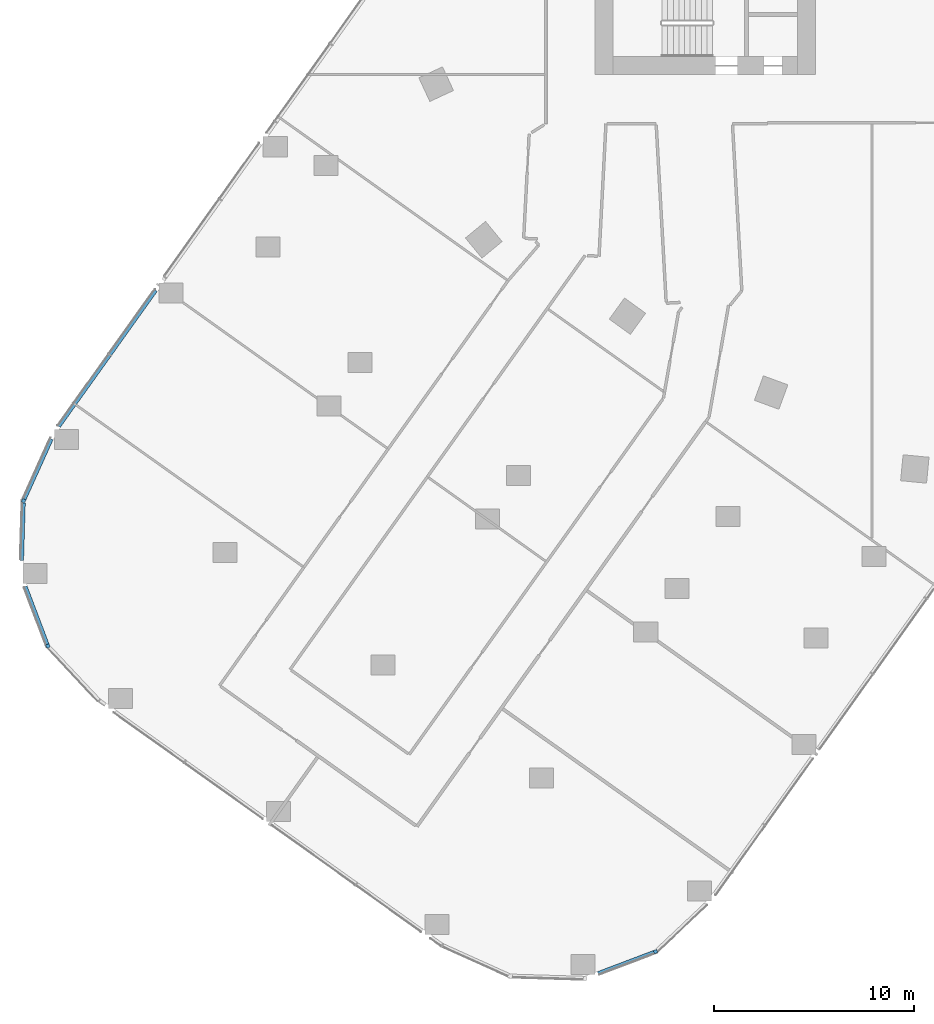
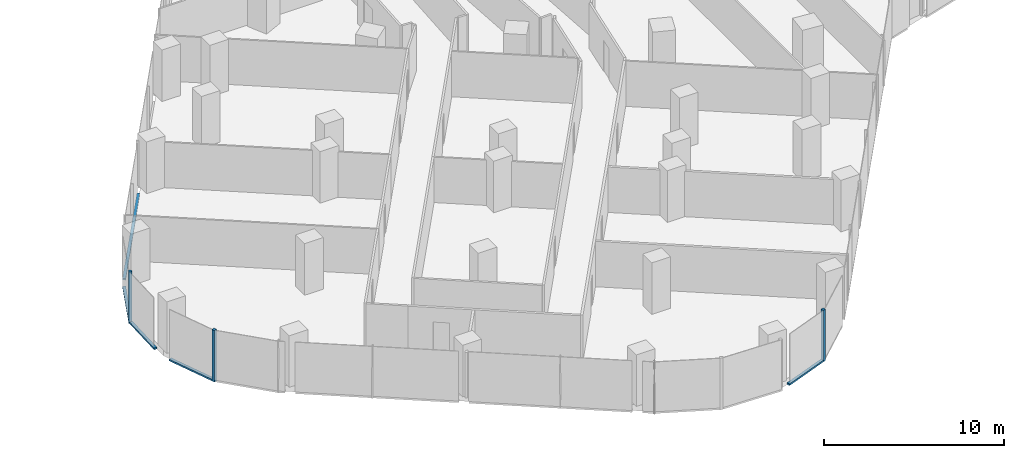
# One storey, part 3 of 31: 8 members, 5 elements without a shape of their own.
"""IFC4 building model written with IfcOpenShell, lengths in metres."""

from ifc_helpers import new_model, si_unit, direction, frame, origin, origin_2d, place, context, subcontext, project, spatial, rectangle, extrude, material, material_profile, profile_set, type_object, element, aggregate, save


model = new_model("IFC4")

# Units and contexts
model_context = context("Model", 3, precision=1e-05, world=origin(), true_north=direction((0.0, 1.0)))
body_context = subcontext(model_context, "Body", "Model", "MODEL_VIEW")
ifc_project = project(units=[si_unit("LENGTHUNIT", "METRE"), si_unit("AREAUNIT", "SQUARE_METRE"), si_unit("VOLUMEUNIT", "CUBIC_METRE"), si_unit("PLANEANGLEUNIT", "RADIAN"), si_unit("MASSUNIT", "GRAM", prefix="KILO")], contexts=[model_context])

# Site, building, storey
site_placement = place(None, origin())
site = spatial("IfcSite", under=ifc_project, at=site_placement, CompositionType="ELEMENT")
building_placement = place(site_placement, origin())
building = spatial("IfcBuilding", under=site, at=building_placement, Name="Orlundy Tower", CompositionType="ELEMENT")
storey_placement = place(building_placement, frame((0.0, 0.0, 87.699951171875)))
storey = spatial("IfcBuildingStorey", under=building, at=storey_placement, Name="L21", CompositionType="ELEMENT", Elevation=87.699951171875)

# Curtain wall, member
ifc_material_1 = material(Name="Aluminium bronze anodised", Category="aluminium")
curtain_wall_type = type_object("IfcCurtainWallType", Name="CW1 wall", PredefinedType="NOTDEFINED", material=ifc_material_1)
curtain_wall_1_placement = place(storey_placement, origin())
curtain_wall_1 = element("IfcCurtainWall", 1, at=curtain_wall_1_placement, inside=storey, type_object=curtain_wall_type, Name="CW1 run 020", PredefinedType="NOTDEFINED")
ifc_material_2 = material(Name="Aluminium bronze anodised", Category="aluminium")
ifc_material_profile_1 = material_profile(ifc_material_2, rectangle(XDim=0.179931640625, YDim=0.179931640625, at=origin_2d()), Name="CW1 corner post 180x180")
ifc_profile_set_1 = profile_set([ifc_material_profile_1], Name="Aluminium bronze anodised")
member_type_1 = type_object("IfcMemberType", Name="CW1 corner post 180x180", PredefinedType="MULLION", material=ifc_profile_set_1)
member_1_placement = place(storey_placement, frame((-15.984375, -55.751708984375, -0.39990234375), z_axis=(0.0, 0.0, 1.0), x_axis=(0.354166301715, -0.935182458523, 0.0)))
member_1 = element("IfcMember", 2, at=member_1_placement, type_object=member_type_1, Name="CW1 mullion 58", PredefinedType="MULLION", context=body_context, shape_type="SweptSolid", body=[
    extrude(rectangle(XDim=0.179931640625, YDim=0.179931640625, at=origin_2d()), origin(), (0.0, 0.0, 1.0), 3.5),
])

curtain_wall_2_placement = place(storey_placement, origin())
curtain_wall_2 = element("IfcCurtainWall", 3, at=curtain_wall_2_placement, inside=storey, type_object=curtain_wall_type, Name="CW1 run 025", PredefinedType="NOTDEFINED")
member_2_placement = place(storey_placement, frame((-46.298828125, -40.505615234375, -0.39990234375), z_axis=(0.0, 0.0, 1.0), x_axis=(-0.935182458523, -0.354166301715, 0.0)))
member_2 = element("IfcMember", 4, at=member_2_placement, type_object=member_type_1, Name="CW1 mullion 66", PredefinedType="MULLION", context=body_context, shape_type="SweptSolid", body=[
    extrude(rectangle(XDim=0.179931640625, YDim=0.179931640625, at=origin_2d()), origin(), (0.0, 0.0, 1.0), 3.5),
])

curtain_wall_3_placement = place(storey_placement, origin())
curtain_wall_3 = element("IfcCurtainWall", 5, at=curtain_wall_3_placement, inside=storey, type_object=curtain_wall_type, Name="CW1 run 027", PredefinedType="NOTDEFINED")
member_3_placement = place(storey_placement, frame((-47.510498046875, -33.264404296875, -0.39990234375), z_axis=(0.0, 0.0, 1.0), x_axis=(-0.911673970719, 0.410914311157, 0.0)))
member_3 = element("IfcMember", 6, at=member_3_placement, type_object=member_type_1, Name="CW1 mullion 68", PredefinedType="MULLION", context=body_context, shape_type="SweptSolid", body=[
    extrude(rectangle(XDim=0.179931640625, YDim=0.179931640625, at=origin_2d()), origin(), (0.0, 0.0, 1.0), 3.5),
])

curtain_wall_4_placement = place(storey_placement, origin())
curtain_wall_4 = element("IfcCurtainWall", 7, at=curtain_wall_4_placement, inside=storey, type_object=curtain_wall_type, Name="CW1 run 00", PredefinedType="NOTDEFINED")
ifc_material_3 = material(Name="Aluminium bronze anodised", Category="aluminium")
ifc_material_profile_2 = material_profile(ifc_material_3, rectangle(XDim=0.179931640625, YDim=0.1201171875, at=origin_2d()), Name="CW1 transom 180x120")
ifc_profile_set_2 = profile_set([ifc_material_profile_2], Name="Aluminium bronze anodised")
member_type_2 = type_object("IfcMemberType", Name="CW1 transom 180x120", PredefinedType="USERDEFINED", material=ifc_profile_set_2)
member_4_placement = place(storey_placement, frame((-45.754638671875, -29.550048828125, -0.33984375), z_axis=(0.580695047202, 0.814121159383, 0.0), x_axis=(-0.814121159383, 0.580695047202, 0.0)))
member_4 = element("IfcMember", 8, at=member_4_placement, type_object=member_type_2, Name="CW1 transom", ObjectType="TRANSOM", PredefinedType="USERDEFINED", context=body_context, shape_type="SweptSolid", body=[
    extrude(rectangle(XDim=0.179931640625, YDim=0.1201171875, at=origin_2d()), origin(), (0.0, 0.0, 1.0), 8.3359375),
])
aggregate(curtain_wall_4, [member_4])

# Member
member_5_placement = place(storey_placement, frame((-16.068603515625, -55.78369140625, -0.33984375), z_axis=(-0.935187055294, -0.354154163621, 0.0), x_axis=(0.354154163621, -0.935187055294, 0.0)))
member_5 = element("IfcMember", 9, at=member_5_placement, type_object=member_type_2, Name="CW1 transom", ObjectType="TRANSOM", PredefinedType="USERDEFINED", context=body_context, shape_type="SweptSolid", body=[
    extrude(rectangle(XDim=0.179931640625, YDim=0.1201171875, at=origin_2d()), origin(), (0.0, 0.0, 1.0), 2.97314453125),
])

aggregate(curtain_wall_1, [member_1, member_5])

member_6_placement = place(storey_placement, frame((-46.330810546875, -40.42138671875, -0.33984375), z_axis=(-0.354161942738, 0.935184109315, 0.0), x_axis=(-0.935184109315, -0.354161942738, 0.0)))
member_6 = element("IfcMember", 10, at=member_6_placement, type_object=member_type_2, Name="CW1 transom", ObjectType="TRANSOM", PredefinedType="USERDEFINED", context=body_context, shape_type="SweptSolid", body=[
    extrude(rectangle(XDim=0.179931640625, YDim=0.1201171875, at=origin_2d()), origin(), (0.0, 0.0, 1.0), 3.080078125),
])

aggregate(curtain_wall_2, [member_2, member_6])

# Curtain wall, member
curtain_wall_5_placement = place(storey_placement, origin())
curtain_wall_5 = element("IfcCurtainWall", 11, at=curtain_wall_5_placement, inside=storey, type_object=curtain_wall_type, Name="CW1 run 026", PredefinedType="NOTDEFINED")
member_7_placement = place(storey_placement, frame((-47.601318359375, -36.240966796875, -0.33984375), z_axis=(0.030512370061, 0.99953438924, 0.0), x_axis=(-0.99953438924, 0.030512370061, 0.0)))
member_7 = element("IfcMember", 12, at=member_7_placement, type_object=member_type_2, Name="CW1 transom", ObjectType="TRANSOM", PredefinedType="USERDEFINED", context=body_context, shape_type="SweptSolid", body=[
    extrude(rectangle(XDim=0.179931640625, YDim=0.1201171875, at=origin_2d()), origin(), (0.0, 0.0, 1.0), 2.88037109375),
])
aggregate(curtain_wall_5, [member_7])

# Member
member_8_placement = place(storey_placement, frame((-47.473388671875, -33.182373046875, -0.33984375), z_axis=(0.4108611797, 0.911697916536, 0.0), x_axis=(-0.911697916536, 0.4108611797, 0.0)))
member_8 = element("IfcMember", 13, at=member_8_placement, type_object=member_type_2, Name="CW1 transom", ObjectType="TRANSOM", PredefinedType="USERDEFINED", context=body_context, shape_type="SweptSolid", body=[
    extrude(rectangle(XDim=0.179931640625, YDim=0.1201171875, at=origin_2d()), origin(), (0.0, 0.0, 1.0), 3.291259765625),
])

aggregate(curtain_wall_3, [member_3, member_8])

save(model, "model.ifc")
